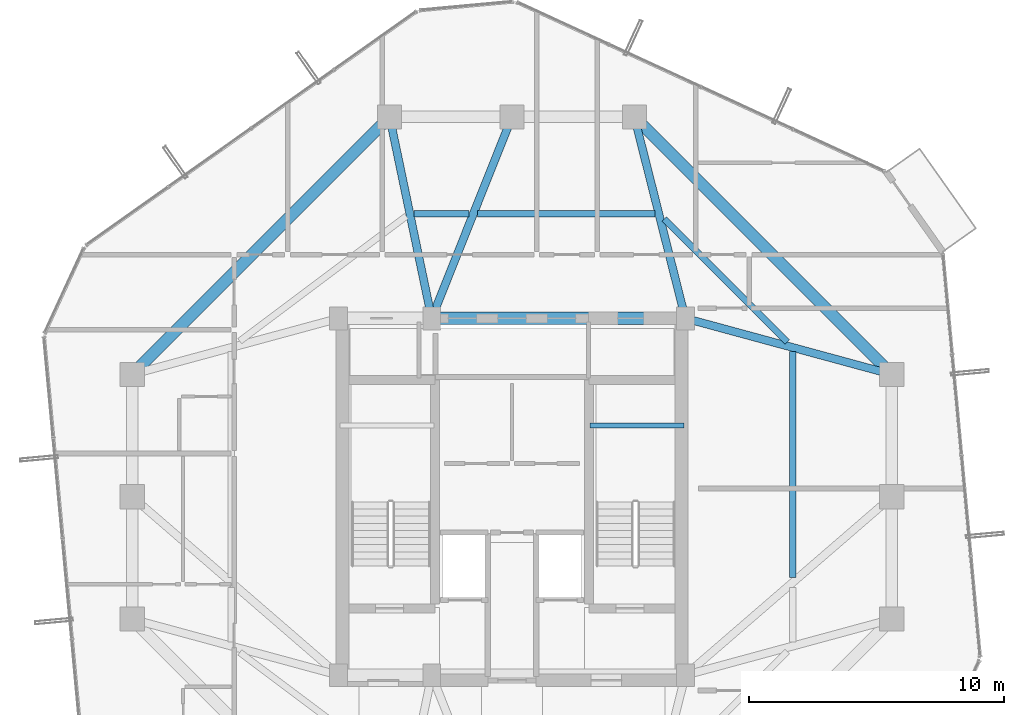
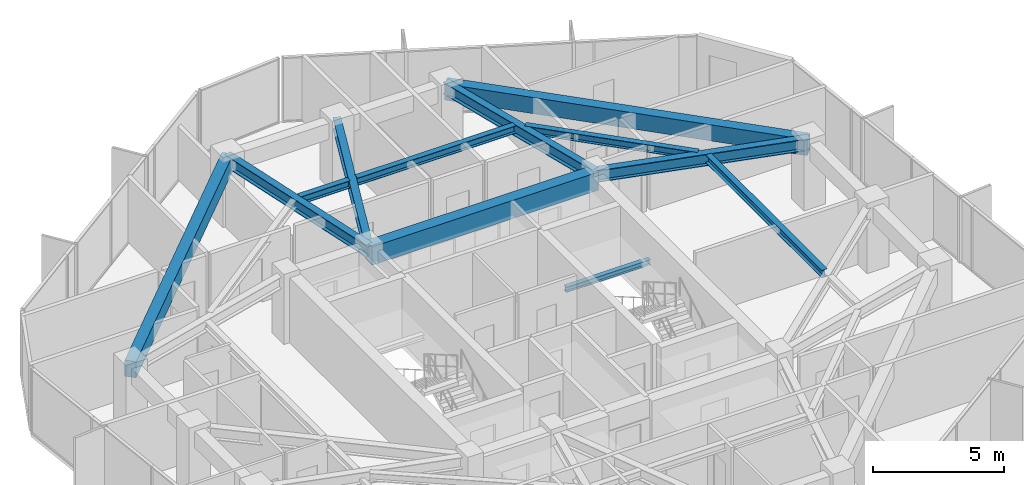
# One storey, part 16 of 32: 12 beams.
"""IFC4 building model written with IfcOpenShell, lengths in metres."""

from ifc_helpers import new_model, si_unit, direction, frame, origin, origin_2d, place, context, subcontext, project, spatial, rectangle, i_section, extrude, material, material_profile, profile_set, type_object, element, save


model = new_model("IFC4")

# Units and contexts
model_context = context("Model", 3, precision=1e-05, world=origin(), true_north=direction((0.0, 1.0)))
body_context = subcontext(model_context, "Body", "Model", "MODEL_VIEW")
ifc_project = project(units=[si_unit("LENGTHUNIT", "METRE"), si_unit("AREAUNIT", "SQUARE_METRE"), si_unit("VOLUMEUNIT", "CUBIC_METRE"), si_unit("PLANEANGLEUNIT", "RADIAN"), si_unit("MASSUNIT", "GRAM", prefix="KILO")], contexts=[model_context])

# Site, building, storey
site_placement = place(None, origin())
site = spatial("IfcSite", under=ifc_project, at=site_placement, CompositionType="ELEMENT")
building_placement = place(site_placement, origin())
building = spatial("IfcBuilding", under=site, at=building_placement, Name="Veraguas Prism Commons", CompositionType="ELEMENT")
storey_placement = place(building_placement, frame((0.0, 0.0, 188.60009765625)))
storey = spatial("IfcBuildingStorey", under=building, at=storey_placement, Name="L53", CompositionType="ELEMENT", Elevation=188.60009765625)

# Beams
ifc_material_1 = material(Name="Concrete C50/60", Category="concrete")
ifc_material_profile_1 = material_profile(ifc_material_1, rectangle(XDim=0.5, YDim=0.85009765625, at=origin_2d()), Name="RC500X850")
ifc_profile_set_1 = profile_set([ifc_material_profile_1], Name="Concrete C50/60")
beam_type_1 = type_object("IfcBeamType", Name="Core Coupling Beam RC 500x850", PredefinedType="BEAM", material=ifc_profile_set_1)
beam_1_placement = place(storey_placement, frame((20.85009765625, 31.0, 2.58984375), z_axis=(1.0, 0.0, 0.0), x_axis=(0.0, 1.0, 0.0)))
element("IfcBeam", 1, at=beam_1_placement, inside=storey, type_object=beam_type_1, Name="Core Coupling Beam L53-CRN2", PredefinedType="BEAM", context=body_context, shape_type="SweptSolid", body=[
    extrude(rectangle(XDim=0.5, YDim=0.85009765625, at=origin_2d()), origin(), (0.0, 0.0, 1.0), 9.949951171875),
])
ifc_material_profile_2 = material_profile(ifc_material_1, rectangle(XDim=0.449951171875, YDim=0.75, at=origin_2d()), Name="RC450X750")
ifc_profile_set_2 = profile_set([ifc_material_profile_2], Name="Concrete C50/60")
beam_type_2 = type_object("IfcBeamType", Name="Perimeter Spandrel Upper RC 450x750", PredefinedType="SPANDREL", material=ifc_profile_set_2)
for number, where, z_axis, x_axis, name in (
    (2, (38.89990234375, 28.800048828125, 2.639892578125), (-0.707106781187, 0.707106781187, 0.0), (-0.707106781187, -0.707106781187, 0.0), "Perimeter Spandrel Beam L53-SP03"),
    (3, (19.199951171875, 38.89990234375, 2.639892578125), (-0.707106781187, -0.707106781187, 0.0), (0.707106781187, -0.707106781187, 0.0), "Perimeter Spandrel Beam L53-SP06"),
):
    element("IfcBeam", number, at=place(storey_placement, frame(where, z_axis=z_axis, x_axis=x_axis)), inside=storey, type_object=beam_type_2, Name=name, PredefinedType="SPANDREL", context=body_context, shape_type="SweptSolid", body=[
        extrude(rectangle(XDim=0.449951171875, YDim=0.75, at=origin_2d()), origin(), (0.0, 0.0, 1.0), 14.283447265625),
    ])
ifc_material_2 = material(Name="Steel ASTM A992 Grade 50", Category="steel")
ifc_material_profile_3 = material_profile(ifc_material_2, i_section(OverallWidth=0.202880859375, OverallDepth=0.251953125, WebThickness=0.008056640625, FlangeThickness=0.013427734375, at=origin_2d()), Name="W250X58")
ifc_profile_set_3 = profile_set([ifc_material_profile_3], Name="Steel ASTM A992 Grade 50")
beam_type_3 = type_object("IfcBeamType", Name="Structural Opening Lintel W250x58", PredefinedType="LINTEL", material=ifc_profile_set_3)
beam_2_placement = place(storey_placement, frame((27.050048828125, 26.800048828125, 1.298828125), z_axis=(1.0, 0.0, 0.0), x_axis=(0.0, 1.0, 0.0)))
element("IfcBeam", 4, at=beam_2_placement, inside=storey, type_object=beam_type_3, Name="Stair ST-02 Half-Landing Support Beam L53-1", PredefinedType="LINTEL", context=body_context, shape_type="SweptSolid", body=[
    extrude(i_section(OverallWidth=0.202880859375, OverallDepth=0.251953125, WebThickness=0.008056640625, FlangeThickness=0.013427734375, at=origin_2d()), origin(), (0.0, 0.0, 1.0), 3.699951171875),
])
ifc_material_profile_4 = material_profile(ifc_material_2, i_section(OverallWidth=0.25390625, OverallDepth=0.35302734375, WebThickness=0.009521484375, FlangeThickness=0.016357421875, at=origin_2d()), Name="W360X91")
ifc_profile_set_4 = profile_set([ifc_material_profile_4], Name="Steel ASTM A992 Grade 50")
beam_type_4 = type_object("IfcBeamType", Name="Upper Floor Joist W360x91", PredefinedType="JOIST", material=ifc_profile_set_4)
beam_3_placement = place(storey_placement, frame((35.011962890625, 20.843017578125, 2.83837890625), z_axis=(0.0, 1.0, 0.0), x_axis=(-1.0, 0.0, 0.0)))
element("IfcBeam", 5, at=beam_3_placement, inside=storey, type_object=beam_type_4, Name="Composite Floor Joist L53-JS02", PredefinedType="JOIST", context=body_context, shape_type="SweptSolid", body=[
    extrude(i_section(OverallWidth=0.25390625, OverallDepth=0.35302734375, WebThickness=0.009521484375, FlangeThickness=0.016357421875, at=origin_2d()), origin(), (0.0, 0.0, 1.0), 8.85400390625),
])
beam_4_placement = place(storey_placement, frame((34.793701171875, 30.074462890625, 2.83837890625), z_axis=(-0.707124682851, 0.707088879069, 0.0), x_axis=(-0.707088879069, -0.707124682851, 0.0)))
element("IfcBeam", 6, at=beam_4_placement, inside=storey, type_object=beam_type_4, Name="Composite Floor Joist L53-JS03", PredefinedType="JOIST", context=body_context, shape_type="SweptSolid", body=[
    extrude(i_section(OverallWidth=0.25390625, OverallDepth=0.35302734375, WebThickness=0.009521484375, FlangeThickness=0.016357421875, at=origin_2d()), origin(), (0.0, 0.0, 1.0), 6.81884765625),
])
beam_5_placement = place(storey_placement, frame((29.601806640625, 35.10791015625, 2.83837890625), z_axis=(-1.0, 0.0, 0.0), x_axis=(0.0, -1.0, 0.0)))
element("IfcBeam", 7, at=beam_5_placement, inside=storey, type_object=beam_type_4, Name="Composite Floor Joist L53-JS04", PredefinedType="JOIST", context=body_context, shape_type="SweptSolid", body=[
    extrude(i_section(OverallWidth=0.25390625, OverallDepth=0.35302734375, WebThickness=0.009521484375, FlangeThickness=0.016357421875, at=origin_2d()), origin(), (0.0, 0.0, 1.0), 6.948486328125),
])
beam_6_placement = place(storey_placement, frame((22.32275390625, 35.10791015625, 2.83837890625), z_axis=(-1.0, 0.0, 0.0), x_axis=(0.0, -1.0, 0.0)))
element("IfcBeam", 8, at=beam_6_placement, inside=storey, type_object=beam_type_4, Name="Composite Floor Joist L53-JS05", PredefinedType="JOIST", context=body_context, shape_type="SweptSolid", body=[
    extrude(i_section(OverallWidth=0.25390625, OverallDepth=0.35302734375, WebThickness=0.009521484375, FlangeThickness=0.016357421875, at=origin_2d()), origin(), (0.0, 0.0, 1.0), 2.174072265625),
])
ifc_material_profile_5 = material_profile(ifc_material_2, i_section(OverallWidth=0.31103515625, OverallDepth=0.5458984375, WebThickness=0.0146484375, FlangeThickness=0.023681640625, at=origin_2d()), Name="W530X165")
ifc_profile_set_5 = profile_set([ifc_material_profile_5], Name="Steel ASTM A992 Grade 50")
beam_type_5 = type_object("IfcBeamType", Name="Zone 3 Radial Girder W530x165", PredefinedType="BEAM", material=ifc_profile_set_5)
beam_7_placement = place(storey_placement, frame((38.89990234375, 28.800048828125, 2.741943359375), z_axis=(-0.965038506703, 0.262108146725, 0.0), x_axis=(-0.262108146725, -0.965038506703, 0.0)))
element("IfcBeam", 9, at=beam_7_placement, inside=storey, type_object=beam_type_5, Name="Radial Floor Girder L53-RD03", PredefinedType="BEAM", context=body_context, shape_type="SweptSolid", body=[
    extrude(i_section(OverallWidth=0.31103515625, OverallDepth=0.5458984375, WebThickness=0.0146484375, FlangeThickness=0.023681640625, at=origin_2d()), origin(), (0.0, 0.0, 1.0), 8.393310546875),
])
beam_8_placement = place(storey_placement, frame((28.800048828125, 38.89990234375, 2.741943359375), z_axis=(0.245424718066, -0.969415652732, 0.0), x_axis=(0.969415652732, 0.245424718066, 0.0)))
element("IfcBeam", 10, at=beam_8_placement, inside=storey, type_object=beam_type_5, Name="Radial Floor Girder L53-RD04", PredefinedType="BEAM", context=body_context, shape_type="SweptSolid", body=[
    extrude(i_section(OverallWidth=0.31103515625, OverallDepth=0.5458984375, WebThickness=0.0146484375, FlangeThickness=0.023681640625, at=origin_2d()), origin(), (0.0, 0.0, 1.0), 8.149169921875),
])
beam_9_placement = place(storey_placement, frame((24.0, 38.89990234375, 2.741943359375), z_axis=(-0.370370877803, -0.928883960931, 0.0), x_axis=(0.928883960931, -0.370370877803, 0.0)))
element("IfcBeam", 11, at=beam_9_placement, inside=storey, type_object=beam_type_5, Name="Radial Floor Girder L53-RD05", PredefinedType="BEAM", context=body_context, shape_type="SweptSolid", body=[
    extrude(i_section(OverallWidth=0.31103515625, OverallDepth=0.5458984375, WebThickness=0.0146484375, FlangeThickness=0.023681640625, at=origin_2d()), origin(), (0.0, 0.0, 1.0), 8.504638671875),
])
beam_10_placement = place(storey_placement, frame((19.199951171875, 38.89990234375, 2.741943359375), z_axis=(0.204468851168, -0.978873070884, 0.0), x_axis=(0.978873070884, 0.204468851168, 0.0)))
element("IfcBeam", 12, at=beam_10_placement, inside=storey, type_object=beam_type_5, Name="Radial Floor Girder L53-RD06", PredefinedType="BEAM", context=body_context, shape_type="SweptSolid", body=[
    extrude(i_section(OverallWidth=0.31103515625, OverallDepth=0.5458984375, WebThickness=0.0146484375, FlangeThickness=0.023681640625, at=origin_2d()), origin(), (0.0, 0.0, 1.0), 8.0703125),
])

save(model, "model.ifc")
